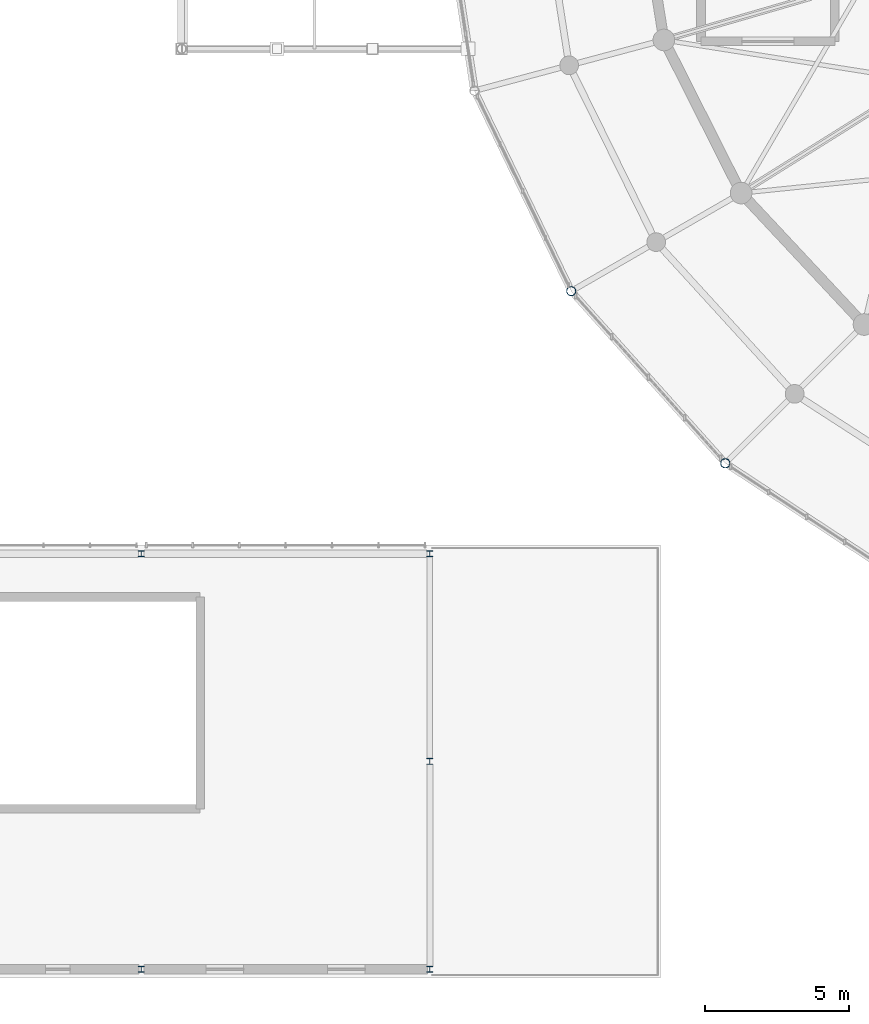
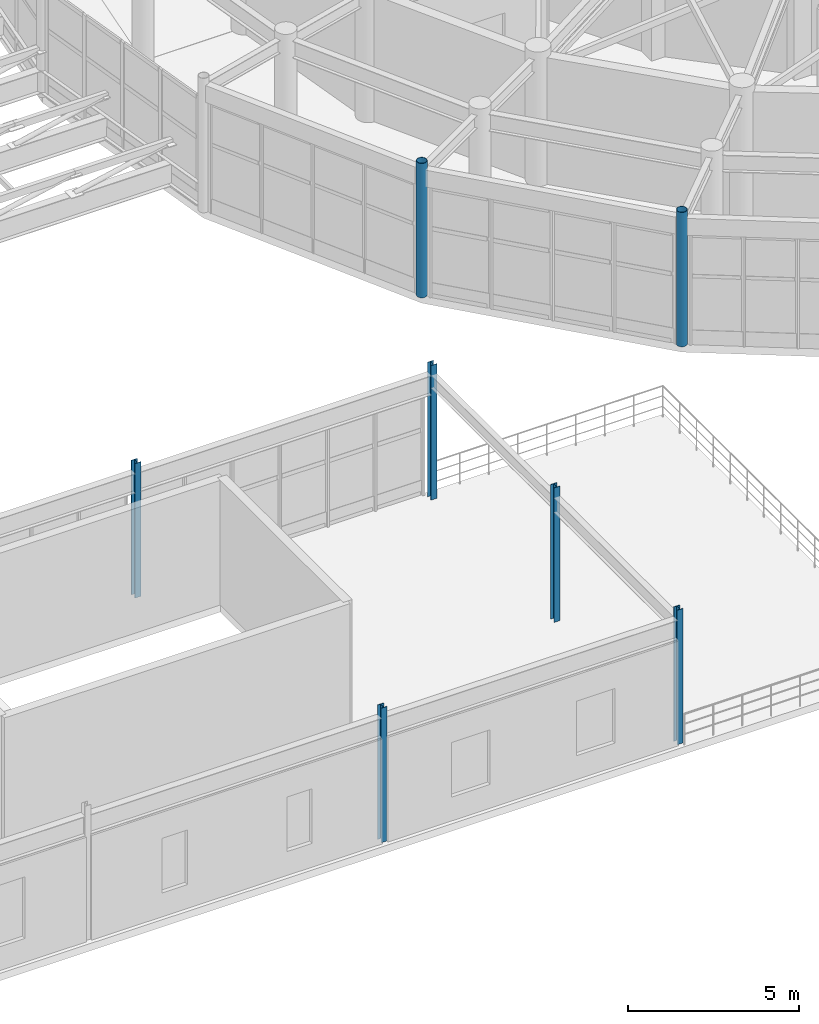
# One storey, part 7 of 144: 7 columns.
"""IFC4 building model written with IfcOpenShell, lengths in metres."""

from ifc_helpers import new_model, si_unit, direction, frame, origin, origin_2d, place, context, subcontext, project, spatial, hollow_circle, i_section, extrude, material, material_profile, profile_set, type_object, element, save


model = new_model("IFC4")

# Units and contexts
model_context = context("Model", 3, precision=1e-05, world=origin(), true_north=direction((0.0, 1.0)))
body_context = subcontext(model_context, "Body", "Model", "MODEL_VIEW")
ifc_project = project(units=[si_unit("LENGTHUNIT", "METRE"), si_unit("AREAUNIT", "SQUARE_METRE"), si_unit("VOLUMEUNIT", "CUBIC_METRE"), si_unit("PLANEANGLEUNIT", "RADIAN"), si_unit("MASSUNIT", "GRAM", prefix="KILO")], contexts=[model_context])

# Site, building, storey
site_placement = place(None, origin())
site = spatial("IfcSite", under=ifc_project, at=site_placement, CompositionType="ELEMENT")
building_placement = place(site_placement, origin())
building = spatial("IfcBuilding", under=site, at=building_placement, Name="Cinderbank Siding Concert Hall", CompositionType="ELEMENT")
storey_placement = place(building_placement, frame((0.0, 0.0, 5.39990234375)))
storey = spatial("IfcBuildingStorey", under=building, at=storey_placement, Name="L02", CompositionType="ELEMENT", Elevation=5.39990234375)

# Columns
ifc_material_1 = material(Name="Structural steel hollow section AS/NZS 1163 Grade C350L0 (350 MPa)", Category="steel")
ifc_material_profile_1 = material_profile(ifc_material_1, hollow_circle(Radius=0.161865234375, WallThickness=0.0126953125, at=origin_2d()), Name="323.9x12.7CHS", Category="LoadBearing")
ifc_profile_set_1 = profile_set([ifc_material_profile_1], Name="Structural steel hollow section AS/NZS 1163 Grade C350L0 (350 MPa)")
column_type_1 = type_object("IfcColumnType", Name="C-CHS323 323.9x12.7CHS", PredefinedType="COLUMN", material=ifc_profile_set_1)
for number, where, z_axis, x_axis, name in (
    (1, (92.90087890625, 29.60009765625, 0.0), (0.0, 0.0, 1.0), (1.0, 0.0, 0.0), "L02 Column COL-E4-15"),
    (2, (98.240966796875, 23.635009765625, 0.0), (0.0, 0.0, 1.0), (1.0, 0.0, 0.0), "L02 Column COL-E4-16"),
):
    element("IfcColumn", number, at=place(storey_placement, frame(where, z_axis=z_axis, x_axis=x_axis)), inside=storey, type_object=column_type_1, Name=name, PredefinedType="COLUMN", context=body_context, shape_type="SweptSolid", body=[
        extrude(hollow_circle(Radius=0.161865234375, WallThickness=0.0126953125, at=origin_2d()), origin(), (0.0, 0.0, 1.0), 4.800048828125),
    ])
ifc_material_2 = material(Name="Structural steel AS/NZS 3679.1 Grade 350 (340 MPa)", Category="steel")
ifc_material_profile_2 = material_profile(ifc_material_2, i_section(OverallWidth=0.205078125, OverallDepth=0.209716796875, WebThickness=0.00927734375, FlangeThickness=0.01416015625, at=origin_2d()), Name="200UC59.5", Category="LoadBearing")
ifc_profile_set_2 = profile_set([ifc_material_profile_2], Name="Structural steel AS/NZS 3679.1 Grade 350 (340 MPa)")
column_type_2 = type_object("IfcColumnType", Name="C-UC200 200UC59.5", PredefinedType="COLUMN", material=ifc_profile_set_2)
for number, where, z_axis, x_axis, name in (
    (3, (78.0, 6.10009765625, 0.0), (0.0, 0.0, 1.0), (1.0, 0.0, 0.0), "L02 Column COL-SL-3-1"),
    (4, (78.0, 20.5, 0.0), (0.0, 0.0, 1.0), (1.0, 0.0, 0.0), "L02 Column COL-SL-3-3"),
    (5, (88.0, 6.10009765625, 0.0), (0.0, 0.0, 1.0), (1.0, 0.0, 0.0), "L02 Column COL-SL-4-1"),
    (6, (88.0, 13.300048828125, 0.0), (0.0, 0.0, 1.0), (1.0, 0.0, 0.0), "L02 Column COL-SL-4-2"),
    (7, (88.0, 20.5, 0.0), (0.0, 0.0, 1.0), (1.0, 0.0, 0.0), "L02 Column COL-SL-4-3"),
):
    element("IfcColumn", number, at=place(storey_placement, frame(where, z_axis=z_axis, x_axis=x_axis)), inside=storey, type_object=column_type_2, Name=name, PredefinedType="COLUMN", context=body_context, shape_type="SweptSolid", body=[
        extrude(i_section(OverallWidth=0.205078125, OverallDepth=0.209716796875, WebThickness=0.00927734375, FlangeThickness=0.01416015625, at=origin_2d()), origin(), (0.0, 0.0, 1.0), 4.800048828125),
    ])

save(model, "model.ifc")
